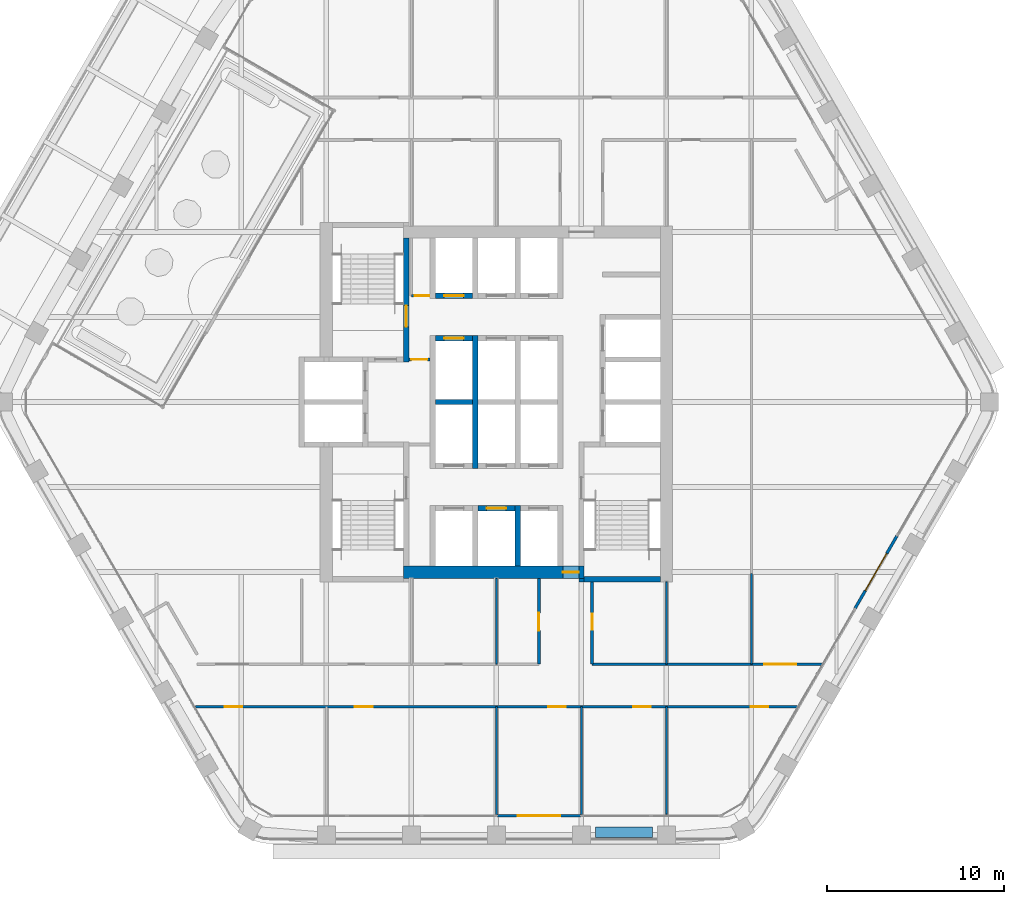
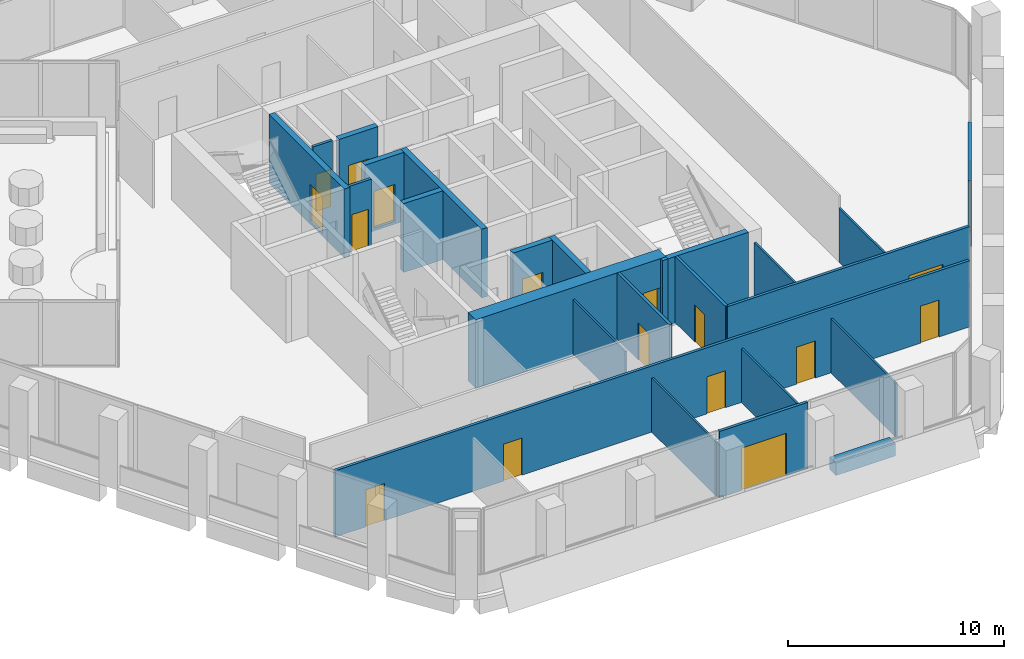
# One storey, part 12 of 18: 25 walls, 17 doors, 17 openings.
"""IFC4 building model written with IfcOpenShell, lengths in metres."""

from ifc_helpers import new_model, si_unit, direction, frame, frame_2d, origin, place, context, subcontext, project, spatial, rectangle, extrude, material, layer, layer_set, type_object, element, fill, save


model = new_model("IFC4")

# Units and contexts
model_context = context("Model", 3, precision=1e-05, world=origin(), true_north=direction((0.0, 1.0)))
body_context = subcontext(model_context, "Body", "Model", "MODEL_VIEW")
ifc_project = project(units=[si_unit("LENGTHUNIT", "METRE"), si_unit("AREAUNIT", "SQUARE_METRE"), si_unit("VOLUMEUNIT", "CUBIC_METRE"), si_unit("PLANEANGLEUNIT", "RADIAN"), si_unit("MASSUNIT", "GRAM", prefix="KILO")], contexts=[model_context])

# Site, building, storey
site_placement = place(None, origin())
site = spatial("IfcSite", under=ifc_project, at=site_placement, CompositionType="ELEMENT")
building_placement = place(site_placement, origin())
building = spatial("IfcBuilding", under=site, at=building_placement, Name="Kolab Exchange Tower", CompositionType="ELEMENT")
storey_placement = place(building_placement, frame((0.0, 0.0, 150.5)))
storey = spatial("IfcBuildingStorey", under=building, at=storey_placement, Name="L30", CompositionType="ELEMENT", Elevation=150.5)

# Wall, opening, door
ifc_material_1 = material(Name="Concrete C60/75", Category="concrete")
ifc_layer_1 = layer(ifc_material_1, 0.699951171875)
ifc_layer_set_1 = layer_set([ifc_layer_1], Name="Concrete C60/75")
wall_type_1 = type_object("IfcWallType", Name="CORE WALL 700 C60/75", PredefinedType="SHEAR", material=ifc_layer_set_1)
wall_1_placement = place(storey_placement, frame((-5.25, -9.60009765625, -0.14990234375), z_axis=(0.0, 0.0, 1.0), x_axis=(1.0, 0.0, 0.0)))
wall_1 = element("IfcWall", 1, at=wall_1_placement, inside=storey, type_object=wall_type_1, Name="wall/L30/core/002", PredefinedType="SHEAR", context=body_context, shape_type="SweptSolid", body=[
    extrude(rectangle(XDim=10.199951171875, YDim=0.699951171875, at=frame_2d((5.10009765625, 0.0))), origin(), (0.0, 0.0, 1.0), 3.89990234375),
])
opening_1_placement = place(wall_1_placement, frame((9.0, 0.0, 0.14990234375)))
opening_1 = element("IfcOpeningElement", 2, at=opening_1_placement, cuts=wall_1, Name="Opening D6-287", PredefinedType="OPENING", context=body_context, shape_type="SweptSolid", body=[
    extrude(rectangle(XDim=0.89990234375, YDim=2.10009765625, at=frame_2d((0.449951171875, 1.050048828125))), frame((0.0, 0.35986328125, 0.0), z_axis=(0.0, -1.0, 0.0), x_axis=(1.0, 0.0, 0.0)), (0.0, 0.0, 1.0), 0.719970703125),
])
ifc_material_2 = material(Name="Steel S235", Category="steel")
door_type_1 = type_object("IfcDoorType", Name="CORE DOOR 900 EI 120", OperationType="SINGLE_SWING_LEFT", PredefinedType="DOOR", material=ifc_material_2)
door_1_placement = place(opening_1_placement, origin())
door_1 = element("IfcDoor", 3, at=door_1_placement, inside=storey, type_object=door_type_1, Name="Core lobby door", OperationType="SINGLE_SWING_LEFT", OverallHeight=2.10009765625, OverallWidth=0.89990234375, PredefinedType="DOOR", context=body_context, shape_type="SweptSolid", body=[
    extrude(rectangle(XDim=0.89990234375, YDim=2.10009765625, at=frame_2d((0.449951171875, 1.050048828125))), frame((0.0, 0.02490234375, 0.0), z_axis=(0.0, -1.0, 0.0), x_axis=(1.0, 0.0, 0.0)), (0.0, 0.0, 1.0), 0.050048828125),
])
fill(opening_1, door_1)

ifc_material_3 = material(Name="Aluminium EN AW-6063 T6", Category="aluminium")
ifc_layer_2 = layer(ifc_material_3, 0.159912109375)
ifc_layer_set_2 = layer_set([ifc_layer_2], Name="Aluminium EN AW-6063 T6")
wall_type_2 = type_object("IfcWallType", Name="DOOR SURROUND WALL 160 ALUMINIUM FRAMED", PredefinedType="PARTITIONING", material=ifc_layer_set_2)
wall_2_placement = place(storey_placement, frame((22.61669921875, -7.5498046875, 0.0), z_axis=(0.0, 0.0, 1.0), x_axis=(-0.5000167099, -0.866015756104, 0.0)))
wall_2 = element("IfcWall", 4, at=wall_2_placement, inside=storey, type_object=wall_type_2, Name="Door surround wall", PredefinedType="PARTITIONING", context=body_context, shape_type="SweptSolid", body=[
    extrude(rectangle(XDim=4.739990234375, YDim=0.159912109375, at=frame_2d((2.3701171875, 0.0))), origin(), (0.0, 0.0, 1.0), 3.75),
])
opening_2_placement = place(wall_2_placement, frame((1.169921875, 0.0, 0.0)))
opening_2 = element("IfcOpeningElement", 5, at=opening_2_placement, cuts=wall_2, Name="Opening GD1-066", PredefinedType="OPENING", context=body_context, shape_type="SweptSolid", body=[
    extrude(rectangle(XDim=2.39990234375, YDim=2.39990234375, at=frame_2d((1.199951171875, 1.199951171875))), frame((0.0, 0.08984375, 0.0), z_axis=(0.0, -1.0, 0.0), x_axis=(1.0, 0.0, 0.0)), (0.0, 0.0, 1.0), 0.179931640625),
])
door_type_2 = type_object("IfcDoorType", Name="LOGGIA SLIDING GLASS DOOR 2400 X 2400", OperationType="DOUBLE_DOOR_SINGLE_SWING", PredefinedType="DOOR", material=ifc_material_3)
door_2_placement = place(opening_2_placement, origin())
door_2 = element("IfcDoor", 6, at=door_2_placement, inside=storey, type_object=door_type_2, Name="Loggia door", OperationType="DOUBLE_DOOR_SLIDING", OverallHeight=2.39990234375, OverallWidth=2.39990234375, PredefinedType="DOOR", context=body_context, shape_type="SweptSolid", body=[
    extrude(rectangle(XDim=2.39990234375, YDim=2.39990234375, at=frame_2d((1.199951171875, 1.199951171875))), frame((0.0, 0.02490234375, 0.0), z_axis=(0.0, -1.0, 0.0), x_axis=(1.0, 0.0, 0.0)), (0.0, 0.0, 1.0), 0.050048828125),
])
fill(opening_2, door_2)

wall_3_placement = place(storey_placement, frame((4.77001953125, -23.361572265625, 0.0), z_axis=(0.0, 0.0, 1.0), x_axis=(-1.0, 0.0, 0.0)))
wall_3 = element("IfcWall", 7, at=wall_3_placement, inside=storey, type_object=wall_type_2, Name="Door surround wall", PredefinedType="PARTITIONING", context=body_context, shape_type="SweptSolid", body=[
    extrude(rectangle(XDim=4.739990234375, YDim=0.159912109375, at=frame_2d((2.3701171875, 0.0))), origin(), (0.0, 0.0, 1.0), 3.75),
])
opening_3_placement = place(wall_3_placement, frame((1.169921875, 0.0, 0.0)))
opening_3 = element("IfcOpeningElement", 8, at=opening_3_placement, cuts=wall_3, Name="Opening GD1-067", PredefinedType="OPENING", context=body_context, shape_type="SweptSolid", body=[
    extrude(rectangle(XDim=2.39990234375, YDim=2.39990234375, at=frame_2d((1.199951171875, 1.199951171875))), frame((0.0, 0.08984375, 0.0), z_axis=(0.0, -1.0, 0.0), x_axis=(1.0, 0.0, 0.0)), (0.0, 0.0, 1.0), 0.179931640625),
])
door_3_placement = place(opening_3_placement, origin())
door_3 = element("IfcDoor", 9, at=door_3_placement, inside=storey, type_object=door_type_2, Name="Loggia door", OperationType="DOUBLE_DOOR_SLIDING", OverallHeight=2.39990234375, OverallWidth=2.39990234375, PredefinedType="DOOR", context=body_context, shape_type="SweptSolid", body=[
    extrude(rectangle(XDim=2.39990234375, YDim=2.39990234375, at=frame_2d((1.199951171875, 1.199951171875))), frame((0.0, 0.02490234375, 0.0), z_axis=(0.0, -1.0, 0.0), x_axis=(1.0, 0.0, 0.0)), (0.0, 0.0, 1.0), 0.050048828125),
])
fill(opening_3, door_3)

ifc_material_4 = material(Name="Concrete C50/60", Category="concrete")
ifc_layer_3 = layer(ifc_material_4, 0.300048828125)
ifc_layer_set_3 = layer_set([ifc_layer_3], Name="Concrete C50/60")
wall_type_3 = type_object("IfcWallType", Name="LIFT SHAFT WALL 300 C50/60", PredefinedType="STANDARD", material=ifc_layer_set_3)
wall_4_placement = place(storey_placement, frame((-1.050048828125, -6.0, -0.14990234375), z_axis=(0.0, 0.0, 1.0), x_axis=(1.0, 0.0, 0.0)))
wall_4 = element("IfcWall", 10, at=wall_4_placement, inside=storey, type_object=wall_type_3, Name="wall/L30/core/004", PredefinedType="STANDARD", context=body_context, shape_type="SweptSolid", body=[
    extrude(rectangle(XDim=2.10009765625, YDim=0.300048828125, at=frame_2d((1.050048828125, 0.0))), origin(), (0.0, 0.0, 1.0), 3.89990234375),
])
opening_4_placement = place(wall_4_placement, frame((0.5, 0.0, 0.14990234375)))
opening_4 = element("IfcOpeningElement", 11, at=opening_4_placement, cuts=wall_4, Name="Opening LD1-111", PredefinedType="OPENING", context=body_context, shape_type="SweptSolid", body=[
    extrude(rectangle(XDim=1.10009765625, YDim=2.10009765625, at=frame_2d((0.550048828125, 1.050048828125))), frame((0.0, 0.16015625, 0.0), z_axis=(0.0, -1.0, 0.0), x_axis=(1.0, 0.0, 0.0)), (0.0, 0.0, 1.0), 0.320068359375),
])
ifc_material_5 = material(Name="Stainless steel 316", Category="steel")
door_type_3 = type_object("IfcDoorType", Name="LANDING DOOR 1100 PASSENGER", OperationType="DOUBLE_DOOR_SLIDING", PredefinedType="DOOR", material=ifc_material_5)
door_4_placement = place(opening_4_placement, origin())
door_4 = element("IfcDoor", 12, at=door_4_placement, inside=storey, type_object=door_type_3, Name="Landing door HR11", OperationType="DOUBLE_DOOR_SLIDING", OverallHeight=2.10009765625, OverallWidth=1.10009765625, PredefinedType="DOOR", context=body_context, shape_type="SweptSolid", body=[
    extrude(rectangle(XDim=1.10009765625, YDim=2.10009765625, at=frame_2d((0.550048828125, 1.050048828125))), frame((0.0, 0.02490234375, 0.0), z_axis=(0.0, -1.0, 0.0), x_axis=(1.0, 0.0, 0.0)), (0.0, 0.0, 1.0), 0.050048828125),
])
fill(opening_4, door_4)

# Wall
wall_5_placement = place(storey_placement, frame((-3.449951171875, 0.0, -0.14990234375), z_axis=(0.0, 0.0, 1.0), x_axis=(1.0, 0.0, 0.0)))
element("IfcWall", 13, at=wall_5_placement, inside=storey, type_object=wall_type_3, Name="wall/L30/core/015", PredefinedType="STANDARD", context=body_context, shape_type="SweptSolid", body=[
    extrude(rectangle(XDim=2.099853515625, YDim=0.300048828125, at=frame_2d((1.0498046875, 0.0))), origin(), (0.0, 0.0, 1.0), 3.89990234375),
])

# Wall, opening, door
wall_6_placement = place(storey_placement, frame((-3.449951171875, 3.60009765625, -0.14990234375), z_axis=(0.0, 0.0, 1.0), x_axis=(1.0, 0.0, 0.0)))
wall_6 = element("IfcWall", 14, at=wall_6_placement, inside=storey, type_object=wall_type_3, Name="wall/L30/core/023", PredefinedType="STANDARD", context=body_context, shape_type="SweptSolid", body=[
    extrude(rectangle(XDim=2.099853515625, YDim=0.300048828125, at=frame_2d((1.0498046875, 0.0))), origin(), (0.0, 0.0, 1.0), 3.89990234375),
])
opening_5_placement = place(wall_6_placement, frame((0.5, 0.0, 0.14990234375)))
opening_5 = element("IfcOpeningElement", 15, at=opening_5_placement, cuts=wall_6, Name="Opening LD1-115", PredefinedType="OPENING", context=body_context, shape_type="SweptSolid", body=[
    extrude(rectangle(XDim=1.10009765625, YDim=2.10009765625, at=frame_2d((0.550048828125, 1.050048828125))), frame((0.0, 0.16015625, 0.0), z_axis=(0.0, -1.0, 0.0), x_axis=(1.0, 0.0, 0.0)), (0.0, 0.0, 1.0), 0.320068359375),
])
door_5_placement = place(opening_5_placement, origin())
door_5 = element("IfcDoor", 16, at=door_5_placement, inside=storey, type_object=door_type_3, Name="Landing door HR4", OperationType="DOUBLE_DOOR_SLIDING", OverallHeight=2.10009765625, OverallWidth=1.10009765625, PredefinedType="DOOR", context=body_context, shape_type="SweptSolid", body=[
    extrude(rectangle(XDim=1.10009765625, YDim=2.10009765625, at=frame_2d((0.550048828125, 1.050048828125))), frame((0.0, 0.02490234375, 0.0), z_axis=(0.0, -1.0, 0.0), x_axis=(1.0, 0.0, 0.0)), (0.0, 0.0, 1.0), 0.050048828125),
])
fill(opening_5, door_5)

wall_7_placement = place(storey_placement, frame((-3.449951171875, 6.0, -0.14990234375), z_axis=(0.0, 0.0, 1.0), x_axis=(1.0, 0.0, 0.0)))
wall_7 = element("IfcWall", 17, at=wall_7_placement, inside=storey, type_object=wall_type_3, Name="wall/L30/core/027", PredefinedType="STANDARD", context=body_context, shape_type="SweptSolid", body=[
    extrude(rectangle(XDim=2.099853515625, YDim=0.300048828125, at=frame_2d((1.0498046875, 0.0))), origin(), (0.0, 0.0, 1.0), 3.89990234375),
])
opening_6_placement = place(wall_7_placement, frame((0.5, 0.0, 0.14990234375)))
opening_6 = element("IfcOpeningElement", 18, at=opening_6_placement, cuts=wall_7, Name="Opening LD1-109", PredefinedType="OPENING", context=body_context, shape_type="SweptSolid", body=[
    extrude(rectangle(XDim=1.10009765625, YDim=2.10009765625, at=frame_2d((0.550048828125, 1.050048828125))), frame((0.0, 0.16015625, 0.0), z_axis=(0.0, -1.0, 0.0), x_axis=(1.0, 0.0, 0.0)), (0.0, 0.0, 1.0), 0.320068359375),
])
door_6_placement = place(opening_6_placement, origin())
door_6 = element("IfcDoor", 19, at=door_6_placement, inside=storey, type_object=door_type_3, Name="Landing door HR1", OperationType="DOUBLE_DOOR_SLIDING", OverallHeight=2.10009765625, OverallWidth=1.10009765625, PredefinedType="DOOR", context=body_context, shape_type="SweptSolid", body=[
    extrude(rectangle(XDim=1.10009765625, YDim=2.10009765625, at=frame_2d((0.550048828125, 1.050048828125))), frame((0.0, 0.02490234375, 0.0), z_axis=(0.0, -1.0, 0.0), x_axis=(1.0, 0.0, 0.0)), (0.0, 0.0, 1.0), 0.050048828125),
])
fill(opening_6, door_6)

# Walls
wall_8_placement = place(storey_placement, frame((-1.199951171875, -3.75, -0.14990234375), z_axis=(0.0, 0.0, 1.0), x_axis=(0.0, 1.0, 0.0)))
element("IfcWall", 20, at=wall_8_placement, inside=storey, type_object=wall_type_3, Name="wall/L30/core/047", PredefinedType="STANDARD", context=body_context, shape_type="SweptSolid", body=[
    extrude(rectangle(XDim=7.5, YDim=0.300048828125, at=frame_2d((3.75, 0.0))), origin(), (0.0, 0.0, 1.0), 3.89990234375),
])
wall_9_placement = place(storey_placement, frame((1.199951171875, -9.25, -0.14990234375), z_axis=(0.0, 0.0, 1.0), x_axis=(0.0, 1.0, 0.0)))
element("IfcWall", 21, at=wall_9_placement, inside=storey, type_object=wall_type_3, Name="wall/L30/core/049", PredefinedType="STANDARD", context=body_context, shape_type="SweptSolid", body=[
    extrude(rectangle(XDim=3.39990234375, YDim=0.300048828125, at=frame_2d((1.699951171875, 0.0))), origin(), (0.0, 0.0, 1.0), 3.89990234375),
])
ifc_material_6 = material(Name="Gypsum board", Category="gypsum")
ifc_layer_4 = layer(ifc_material_6, 0.10009765625)
ifc_layer_set_4 = layer_set([ifc_layer_4], Name="Gypsum board")
wall_type_4 = type_object("IfcWallType", Name="PARTITION 100", PredefinedType="PARTITIONING", material=ifc_layer_set_4)
wall_10_placement = place(storey_placement, frame((14.39990234375, -14.800048828125, 0.0), z_axis=(0.0, 0.0, 1.0), x_axis=(0.0, 1.0, 0.0)))
element("IfcWall", 22, at=wall_10_placement, inside=storey, type_object=wall_type_4, Name="Partition 000", PredefinedType="PARTITIONING", context=body_context, shape_type="SweptSolid", body=[
    extrude(rectangle(XDim=5.1064453125, YDim=0.10009765625, at=frame_2d((2.55322265625, 0.0))), origin(), (0.0, 0.0, 1.0), 3.06591796875),
])
wall_11_placement = place(storey_placement, frame((9.60009765625, -23.271484375, 0.0), z_axis=(0.0, 0.0, 1.0), x_axis=(0.0, 1.0, 0.0)))
element("IfcWall", 23, at=wall_11_placement, inside=storey, type_object=wall_type_4, Name="Partition 001", PredefinedType="PARTITIONING", context=body_context, shape_type="SweptSolid", body=[
    extrude(rectangle(XDim=6.071533203125, YDim=0.10009765625, at=frame_2d((3.03564453125, 0.0))), origin(), (0.0, 0.0, 1.0), 3.06591796875),
])
wall_12_placement = place(storey_placement, frame((9.60009765625, -14.800048828125, 0.0), z_axis=(0.0, 0.0, 1.0), x_axis=(0.0, 1.0, 0.0)))
element("IfcWall", 24, at=wall_12_placement, inside=storey, type_object=wall_type_4, Name="Partition 002", PredefinedType="PARTITIONING", context=body_context, shape_type="SweptSolid", body=[
    extrude(rectangle(XDim=4.650146484375, YDim=0.10009765625, at=frame_2d((2.3251953125, 0.0))), origin(), (0.0, 0.0, 1.0), 3.06591796875),
])
for number, where, z_axis, x_axis, name in (
    (25, (4.800048828125, -23.281494140625, 0.0), (0.0, 0.0, 1.0), (0.0, 1.0, 0.0), "Partition 007"),
    (26, (0.0, -23.281494140625, 0.0), (0.0, 0.0, 1.0), (0.0, 1.0, 0.0), "Partition 010"),
):
    element("IfcWall", number, at=place(storey_placement, frame(where, z_axis=z_axis, x_axis=x_axis)), inside=storey, type_object=wall_type_4, Name=name, PredefinedType="PARTITIONING", context=body_context, shape_type="SweptSolid", body=[
        extrude(rectangle(XDim=6.08154296875, YDim=0.10009765625, at=frame_2d((3.040771484375, 0.0))), origin(), (0.0, 0.0, 1.0), 3.06591796875),
    ])
wall_13_placement = place(storey_placement, frame((0.0, -14.800048828125, 0.0), z_axis=(0.0, 0.0, 1.0), x_axis=(0.0, 1.0, 0.0)))
element("IfcWall", 27, at=wall_13_placement, inside=storey, type_object=wall_type_4, Name="Partition 011", PredefinedType="PARTITIONING", context=body_context, shape_type="SweptSolid", body=[
    extrude(rectangle(XDim=4.85009765625, YDim=0.10009765625, at=frame_2d((2.425048828125, 0.0))), origin(), (0.0, 0.0, 1.0), 3.06591796875),
])

# Wall, opening, door
ifc_layer_5 = layer(ifc_material_6, 0.14990234375)
ifc_layer_set_5 = layer_set([ifc_layer_5], Name="Gypsum board")
wall_type_5 = type_object("IfcWallType", Name="PARTITION 150 FIRE-RATED", PredefinedType="PARTITIONING", material=ifc_layer_set_5)
wall_14_placement = place(storey_placement, frame((5.39990234375, -14.800048828125, 0.0), z_axis=(0.0, 0.0, 1.0), x_axis=(0.0, 1.0, 0.0)))
wall_14 = element("IfcWall", 28, at=wall_14_placement, inside=storey, type_object=wall_type_5, Name="Partition 006", PredefinedType="PARTITIONING", context=body_context, shape_type="SweptSolid", body=[
    extrude(rectangle(XDim=4.650146484375, YDim=0.14990234375, at=frame_2d((2.3251953125, 0.0))), origin(), (0.0, 0.0, 1.0), 3.75),
])
opening_7_placement = place(wall_14_placement, frame((1.949951171875, 0.0, 0.0)))
opening_7 = element("IfcOpeningElement", 29, at=opening_7_placement, cuts=wall_14, Name="Opening D3-042", PredefinedType="OPENING", context=body_context, shape_type="SweptSolid", body=[
    extrude(rectangle(XDim=0.89990234375, YDim=2.10009765625, at=frame_2d((0.449951171875, 1.050048828125))), frame((0.0, 0.0849609375, 0.0), z_axis=(0.0, -1.0, 0.0), x_axis=(1.0, 0.0, 0.0)), (0.0, 0.0, 1.0), 0.169921875),
])
door_type_4 = type_object("IfcDoorType", Name="FLUSH DOOR 900 FD60", OperationType="SINGLE_SWING_LEFT", PredefinedType="DOOR", material=ifc_material_2)
door_7_placement = place(opening_7_placement, frame((0.89990234375, 0.0, 0.0), z_axis=(0.0, 0.0, 1.0), x_axis=(-1.0, 0.0, 0.0)))
door_7 = element("IfcDoor", 30, at=door_7_placement, inside=storey, type_object=door_type_4, Name="Door L30-034", OperationType="SINGLE_SWING_LEFT", OverallHeight=2.10009765625, OverallWidth=0.89990234375, PredefinedType="DOOR", context=body_context, shape_type="SweptSolid", body=[
    extrude(rectangle(XDim=0.89990234375, YDim=2.10009765625, at=frame_2d((0.449951171875, 1.050048828125))), frame((0.0, 0.02490234375, 0.0), z_axis=(0.0, -1.0, 0.0), x_axis=(1.0, 0.0, 0.0)), (0.0, 0.0, 1.0), 0.050048828125),
])
fill(opening_7, door_7)

wall_15_placement = place(storey_placement, frame((2.39990234375, -14.800048828125, 0.0), z_axis=(0.0, 0.0, 1.0), x_axis=(0.0, 1.0, 0.0)))
wall_15 = element("IfcWall", 31, at=wall_15_placement, inside=storey, type_object=wall_type_5, Name="Partition 009", PredefinedType="PARTITIONING", context=body_context, shape_type="SweptSolid", body=[
    extrude(rectangle(XDim=4.85009765625, YDim=0.14990234375, at=frame_2d((2.425048828125, 0.0))), origin(), (0.0, 0.0, 1.0), 3.75),
])
opening_8_placement = place(wall_15_placement, frame((1.89990234375, 0.0, 0.0)))
opening_8 = element("IfcOpeningElement", 32, at=opening_8_placement, cuts=wall_15, Name="Opening D1-436", PredefinedType="OPENING", context=body_context, shape_type="SweptSolid", body=[
    extrude(rectangle(XDim=1.0, YDim=2.10009765625, at=frame_2d((0.5, 1.050048828125))), frame((0.0, 0.0849609375, 0.0), z_axis=(0.0, -1.0, 0.0), x_axis=(1.0, 0.0, 0.0)), (0.0, 0.0, 1.0), 0.169921875),
])
door_type_5 = type_object("IfcDoorType", Name="FLUSH DOOR 1000 FD60", OperationType="SINGLE_SWING_LEFT", PredefinedType="DOOR", material=ifc_material_2)
door_8_placement = place(opening_8_placement, origin())
door_8 = element("IfcDoor", 33, at=door_8_placement, inside=storey, type_object=door_type_5, Name="Door L30-037", OperationType="SINGLE_SWING_LEFT", OverallHeight=2.10009765625, OverallWidth=1.0, PredefinedType="DOOR", context=body_context, shape_type="SweptSolid", body=[
    extrude(rectangle(XDim=1.0, YDim=2.10009765625, at=frame_2d((0.5, 1.050048828125))), frame((0.0, 0.02490234375, 0.0), z_axis=(0.0, -1.0, 0.0), x_axis=(1.0, 0.0, 0.0)), (0.0, 0.0, 1.0), 0.050048828125),
])
fill(opening_8, door_8)

# Wall, openings, doors
wall_16_placement = place(storey_placement, frame((-16.9990234375, -17.199951171875, 0.0), z_axis=(0.0, 0.0, 1.0), x_axis=(1.0, 0.0, 0.0)))
wall_16 = element("IfcWall", 34, at=wall_16_placement, inside=storey, type_object=wall_type_5, Name="Partition 025", PredefinedType="PARTITIONING", context=body_context, shape_type="SweptSolid", body=[
    extrude(rectangle(XDim=33.998046875, YDim=0.14990234375, at=frame_2d((16.9990234375, 0.0))), origin(), (0.0, 0.0, 1.0), 3.75),
])
opening_9_placement = place(wall_16_placement, frame((1.64599609375, 0.0, 0.0)))
opening_9 = element("IfcOpeningElement", 35, at=opening_9_placement, cuts=wall_16, Name="Opening D1-441", PredefinedType="OPENING", context=body_context, shape_type="SweptSolid", body=[
    extrude(rectangle(XDim=1.0, YDim=2.10009765625, at=frame_2d((0.5, 1.050048828125))), frame((0.0, 0.0849609375, 0.0), z_axis=(0.0, -1.0, 0.0), x_axis=(1.0, 0.0, 0.0)), (0.0, 0.0, 1.0), 0.169921875),
])
opening_10_placement = place(wall_16_placement, frame((9.00390625, 0.0, 0.0)))
opening_10 = element("IfcOpeningElement", 36, at=opening_10_placement, cuts=wall_16, Name="Opening D1-442", PredefinedType="OPENING", context=body_context, shape_type="SweptSolid", body=[
    extrude(rectangle(XDim=1.0, YDim=2.10009765625, at=frame_2d((0.5, 1.050048828125))), frame((0.0, 0.0849609375, 0.0), z_axis=(0.0, -1.0, 0.0), x_axis=(1.0, 0.0, 0.0)), (0.0, 0.0, 1.0), 0.169921875),
])
opening_11_placement = place(wall_16_placement, frame((19.9140625, 0.0, 0.0)))
opening_11 = element("IfcOpeningElement", 37, at=opening_11_placement, cuts=wall_16, Name="Opening D1-443", PredefinedType="OPENING", context=body_context, shape_type="SweptSolid", body=[
    extrude(rectangle(XDim=1.0, YDim=2.10009765625, at=frame_2d((0.5, 1.050048828125))), frame((0.0, 0.0849609375, 0.0), z_axis=(0.0, -1.0, 0.0), x_axis=(1.0, 0.0, 0.0)), (0.0, 0.0, 1.0), 0.169921875),
])
opening_12_placement = place(wall_16_placement, frame((24.714111328125, 0.0, 0.0)))
opening_12 = element("IfcOpeningElement", 38, at=opening_12_placement, cuts=wall_16, Name="Opening D1-444", PredefinedType="OPENING", context=body_context, shape_type="SweptSolid", body=[
    extrude(rectangle(XDim=1.0, YDim=2.10009765625, at=frame_2d((0.5, 1.050048828125))), frame((0.0, 0.0849609375, 0.0), z_axis=(0.0, -1.0, 0.0), x_axis=(1.0, 0.0, 0.0)), (0.0, 0.0, 1.0), 0.169921875),
])
opening_13_placement = place(wall_16_placement, frame((31.35205078125, 0.0, 0.0)))
opening_13 = element("IfcOpeningElement", 39, at=opening_13_placement, cuts=wall_16, Name="Opening D1-445", PredefinedType="OPENING", context=body_context, shape_type="SweptSolid", body=[
    extrude(rectangle(XDim=1.0, YDim=2.10009765625, at=frame_2d((0.5, 1.050048828125))), frame((0.0, 0.0849609375, 0.0), z_axis=(0.0, -1.0, 0.0), x_axis=(1.0, 0.0, 0.0)), (0.0, 0.0, 1.0), 0.169921875),
])
door_9_placement = place(opening_9_placement, frame((1.0, 0.0, 0.0), z_axis=(0.0, 0.0, 1.0), x_axis=(-1.0, 0.0, 0.0)))
door_9 = element("IfcDoor", 40, at=door_9_placement, inside=storey, type_object=door_type_5, Name="Door L30-042", OperationType="SINGLE_SWING_LEFT", OverallHeight=2.10009765625, OverallWidth=1.0, PredefinedType="DOOR", context=body_context, shape_type="SweptSolid", body=[
    extrude(rectangle(XDim=1.0, YDim=2.10009765625, at=frame_2d((0.5, 1.050048828125))), frame((0.0, 0.02490234375, 0.0), z_axis=(0.0, -1.0, 0.0), x_axis=(1.0, 0.0, 0.0)), (0.0, 0.0, 1.0), 0.050048828125),
])
fill(opening_9, door_9)
door_10_placement = place(opening_10_placement, frame((1.0, 0.0, 0.0), z_axis=(0.0, 0.0, 1.0), x_axis=(-1.0, 0.0, 0.0)))
door_10 = element("IfcDoor", 41, at=door_10_placement, inside=storey, type_object=door_type_5, Name="Door L30-043", OperationType="SINGLE_SWING_LEFT", OverallHeight=2.10009765625, OverallWidth=1.0, PredefinedType="DOOR", context=body_context, shape_type="SweptSolid", body=[
    extrude(rectangle(XDim=1.0, YDim=2.10009765625, at=frame_2d((0.5, 1.050048828125))), frame((0.0, 0.02490234375, 0.0), z_axis=(0.0, -1.0, 0.0), x_axis=(1.0, 0.0, 0.0)), (0.0, 0.0, 1.0), 0.050048828125),
])
fill(opening_10, door_10)
door_11_placement = place(opening_11_placement, frame((1.0, 0.0, 0.0), z_axis=(0.0, 0.0, 1.0), x_axis=(-1.0, 0.0, 0.0)))
door_11 = element("IfcDoor", 42, at=door_11_placement, inside=storey, type_object=door_type_5, Name="Door L30-044", OperationType="SINGLE_SWING_RIGHT", OverallHeight=2.10009765625, OverallWidth=1.0, PredefinedType="DOOR", context=body_context, shape_type="SweptSolid", body=[
    extrude(rectangle(XDim=1.0, YDim=2.10009765625, at=frame_2d((0.5, 1.050048828125))), frame((0.0, 0.02490234375, 0.0), z_axis=(0.0, -1.0, 0.0), x_axis=(1.0, 0.0, 0.0)), (0.0, 0.0, 1.0), 0.050048828125),
])
fill(opening_11, door_11)
door_12_placement = place(opening_12_placement, frame((1.0, 0.0, 0.0), z_axis=(0.0, 0.0, 1.0), x_axis=(-1.0, 0.0, 0.0)))
door_12 = element("IfcDoor", 43, at=door_12_placement, inside=storey, type_object=door_type_5, Name="Door L30-045", OperationType="SINGLE_SWING_RIGHT", OverallHeight=2.10009765625, OverallWidth=1.0, PredefinedType="DOOR", context=body_context, shape_type="SweptSolid", body=[
    extrude(rectangle(XDim=1.0, YDim=2.10009765625, at=frame_2d((0.5, 1.050048828125))), frame((0.0, 0.02490234375, 0.0), z_axis=(0.0, -1.0, 0.0), x_axis=(1.0, 0.0, 0.0)), (0.0, 0.0, 1.0), 0.050048828125),
])
fill(opening_12, door_12)
door_13_placement = place(opening_13_placement, frame((1.0, 0.0, 0.0), z_axis=(0.0, 0.0, 1.0), x_axis=(-1.0, 0.0, 0.0)))
door_13 = element("IfcDoor", 44, at=door_13_placement, inside=storey, type_object=door_type_5, Name="Door L30-046", OperationType="SINGLE_SWING_RIGHT", OverallHeight=2.10009765625, OverallWidth=1.0, PredefinedType="DOOR", context=body_context, shape_type="SweptSolid", body=[
    extrude(rectangle(XDim=1.0, YDim=2.10009765625, at=frame_2d((0.5, 1.050048828125))), frame((0.0, 0.02490234375, 0.0), z_axis=(0.0, -1.0, 0.0), x_axis=(1.0, 0.0, 0.0)), (0.0, 0.0, 1.0), 0.050048828125),
])
fill(opening_13, door_13)

# Wall, opening, door
wall_17_placement = place(storey_placement, frame((5.39990234375, -14.800048828125, 0.0), z_axis=(0.0, 0.0, 1.0), x_axis=(1.0, 0.0, 0.0)))
wall_17 = element("IfcWall", 45, at=wall_17_placement, inside=storey, type_object=wall_type_5, Name="Partition 027", PredefinedType="PARTITIONING", context=body_context, shape_type="SweptSolid", body=[
    extrude(rectangle(XDim=12.984619140625, YDim=0.14990234375, at=frame_2d((6.4921875, 0.0))), origin(), (0.0, 0.0, 1.0), 3.75),
])
opening_14_placement = place(wall_17_placement, frame((9.730712890625, 0.0, 0.0)))
opening_14 = element("IfcOpeningElement", 46, at=opening_14_placement, cuts=wall_17, Name="Opening D2-043", PredefinedType="OPENING", context=body_context, shape_type="SweptSolid", body=[
    extrude(rectangle(XDim=1.800048828125, YDim=2.10009765625, at=frame_2d((0.89990234375, 1.050048828125))), frame((0.0, 0.0849609375, 0.0), z_axis=(0.0, -1.0, 0.0), x_axis=(1.0, 0.0, 0.0)), (0.0, 0.0, 1.0), 0.169921875),
])
door_type_6 = type_object("IfcDoorType", Name="DOUBLE DOOR 1800 FD60", OperationType="DOUBLE_DOOR_SINGLE_SWING", PredefinedType="DOOR", material=ifc_material_2)
door_14_placement = place(opening_14_placement, origin())
door_14 = element("IfcDoor", 47, at=door_14_placement, inside=storey, type_object=door_type_6, Name="Door L30-048", OperationType="SINGLE_SWING_LEFT", OverallHeight=2.10009765625, OverallWidth=1.800048828125, PredefinedType="DOOR", context=body_context, shape_type="SweptSolid", body=[
    extrude(rectangle(XDim=1.800048828125, YDim=2.10009765625, at=frame_2d((0.89990234375, 1.050048828125))), frame((0.0, 0.02490234375, 0.0), z_axis=(0.0, -1.0, 0.0), x_axis=(1.0, 0.0, 0.0)), (0.0, 0.0, 1.0), 0.050048828125),
])
fill(opening_14, door_14)

wall_18_placement = place(storey_placement, frame((-4.800048828125, 6.0, 0.0), z_axis=(0.0, 0.0, 1.0), x_axis=(1.0, 0.0, 0.0)))
wall_18 = element("IfcWall", 48, at=wall_18_placement, inside=storey, type_object=wall_type_5, Name="Partition 028", PredefinedType="PARTITIONING", context=body_context, shape_type="SweptSolid", body=[
    extrude(rectangle(XDim=1.050048828125, YDim=0.14990234375, at=frame_2d((0.52490234375, 0.0))), origin(), (0.0, 0.0, 1.0), 3.75),
])
opening_15_placement = place(wall_18_placement, frame((0.199951171875, 0.0, 0.0)))
opening_15 = element("IfcOpeningElement", 49, at=opening_15_placement, cuts=wall_18, Name="Opening D7-032", PredefinedType="OPENING", context=body_context, shape_type="SweptSolid", body=[
    extrude(rectangle(XDim=0.800048828125, YDim=2.10009765625, at=frame_2d((0.39990234375, 1.050048828125))), frame((0.0, 0.0849609375, 0.0), z_axis=(0.0, -1.0, 0.0), x_axis=(1.0, 0.0, 0.0)), (0.0, 0.0, 1.0), 0.169921875),
])
door_type_7 = type_object("IfcDoorType", Name="FLUSH DOOR 800 FD60", OperationType="SINGLE_SWING_LEFT", PredefinedType="DOOR", material=ifc_material_2)
door_15_placement = place(opening_15_placement, origin())
door_15 = element("IfcDoor", 50, at=door_15_placement, inside=storey, type_object=door_type_7, Name="Door L30-023", OperationType="SINGLE_SWING_RIGHT", OverallHeight=2.10009765625, OverallWidth=0.800048828125, PredefinedType="DOOR", context=body_context, shape_type="SweptSolid", body=[
    extrude(rectangle(XDim=0.800048828125, YDim=2.10009765625, at=frame_2d((0.39990234375, 1.050048828125))), frame((0.0, 0.02490234375, 0.0), z_axis=(0.0, -1.0, 0.0), x_axis=(1.0, 0.0, 0.0)), (0.0, 0.0, 1.0), 0.050048828125),
])
fill(opening_15, door_15)

wall_19_placement = place(storey_placement, frame((-4.949951171875, 2.39990234375, 0.0), z_axis=(0.0, 0.0, 1.0), x_axis=(1.0, 0.0, 0.0)))
wall_19 = element("IfcWall", 51, at=wall_19_placement, inside=storey, type_object=wall_type_5, Name="Fire partition", PredefinedType="PARTITIONING", context=body_context, shape_type="SweptSolid", body=[
    extrude(rectangle(XDim=1.199951171875, YDim=0.14990234375, at=frame_2d((0.60009765625, 0.0))), origin(), (0.0, 0.0, 1.0), 3.75),
])
opening_16_placement = place(wall_19_placement, frame((0.14990234375, 0.0, 0.0)))
opening_16 = element("IfcOpeningElement", 52, at=opening_16_placement, cuts=wall_19, Name="Opening D6-288", PredefinedType="OPENING", context=body_context, shape_type="SweptSolid", body=[
    extrude(rectangle(XDim=0.89990234375, YDim=2.10009765625, at=frame_2d((0.449951171875, 1.050048828125))), frame((0.0, 0.0849609375, 0.0), z_axis=(0.0, -1.0, 0.0), x_axis=(1.0, 0.0, 0.0)), (0.0, 0.0, 1.0), 0.169921875),
])
door_16_placement = place(opening_16_placement, frame((0.89990234375, 0.0, 0.0), z_axis=(0.0, 0.0, 1.0), x_axis=(-1.0, 0.0, 0.0)))
door_16 = element("IfcDoor", 53, at=door_16_placement, inside=storey, type_object=door_type_1, Name="Firefighting lobby door", OperationType="SINGLE_SWING_RIGHT", OverallHeight=2.10009765625, OverallWidth=0.89990234375, PredefinedType="DOOR", context=body_context, shape_type="SweptSolid", body=[
    extrude(rectangle(XDim=0.89990234375, YDim=2.10009765625, at=frame_2d((0.449951171875, 1.050048828125))), frame((0.0, 0.02490234375, 0.0), z_axis=(0.0, -1.0, 0.0), x_axis=(1.0, 0.0, 0.0)), (0.0, 0.0, 1.0), 0.050048828125),
])
fill(opening_16, door_16)

# Walls
ifc_material_7 = material(Name="Granite facing", Category="masonry")
ifc_layer_6 = layer(ifc_material_7, 0.0400390625)
ifc_material_8 = material(Name="Concrete C40/50 precast", Category="concrete")
ifc_layer_7 = layer(ifc_material_8, 0.56005859375)
ifc_layer_set_6 = layer_set([ifc_layer_6, ifc_layer_7], Name="Concrete C40/50 precast")
wall_type_6 = type_object("IfcWallType", Name="PLANTER BOX 600 X 700 SOIL DEPTH 550", PredefinedType="USERDEFINED", material=ifc_layer_set_6)
wall_20_placement = place(storey_placement, frame((8.800048828125, -24.29150390625, 0.0), z_axis=(0.0, 0.0, 1.0), x_axis=(-1.0, 0.0, 0.0)))
element("IfcWall", 54, at=wall_20_placement, inside=storey, type_object=wall_type_6, Name="Planter", ObjectType="PLANTER", PredefinedType="USERDEFINED", context=body_context, shape_type="SweptSolid", body=[
    extrude(rectangle(XDim=3.199951171875, YDim=0.60009765625, at=frame_2d((1.60009765625, 0.0))), origin(), (0.0, 0.0, 1.0), 0.699951171875),
])
ifc_layer_8 = layer(ifc_material_4, 0.300048828125)
ifc_layer_set_7 = layer_set([ifc_layer_8], Name="Concrete C50/60")
wall_type_7 = type_object("IfcWallType", Name="STAIR ENCLOSURE WALL 300 C50/60", PredefinedType="STANDARD", material=ifc_layer_set_7)
wall_21_placement = place(storey_placement, frame((4.949951171875, -10.0, -0.14990234375), z_axis=(0.0, 0.0, 1.0), x_axis=(1.0, 0.0, 0.0)))
element("IfcWall", 55, at=wall_21_placement, inside=storey, type_object=wall_type_7, Name="wall/L30/core/001", PredefinedType="STANDARD", context=body_context, shape_type="SweptSolid", body=[
    extrude(rectangle(XDim=4.300048828125, YDim=0.300048828125, at=frame_2d((2.14990234375, 0.0))), origin(), (0.0, 0.0, 1.0), 3.89990234375),
])

# Wall, opening, door
wall_22_placement = place(storey_placement, frame((-5.10009765625, 2.25, -0.14990234375), z_axis=(0.0, 0.0, 1.0), x_axis=(0.0, 1.0, 0.0)))
wall_22 = element("IfcWall", 56, at=wall_22_placement, inside=storey, type_object=wall_type_7, Name="wall/L30/core/041", PredefinedType="STANDARD", context=body_context, shape_type="SweptSolid", body=[
    extrude(rectangle(XDim=7.0, YDim=0.300048828125, at=frame_2d((3.5, 0.0))), origin(), (0.0, 0.0, 1.0), 3.89990234375),
])
opening_17_placement = place(wall_22_placement, frame((2.0, 0.0, 0.14990234375)))
opening_17 = element("IfcOpeningElement", 57, at=opening_17_placement, cuts=wall_22, Name="Opening D4-066", PredefinedType="OPENING", context=body_context, shape_type="SweptSolid", body=[
    extrude(rectangle(XDim=1.199951171875, YDim=2.10009765625, at=frame_2d((0.60009765625, 1.050048828125))), frame((0.0, 0.16015625, 0.0), z_axis=(0.0, -1.0, 0.0), x_axis=(1.0, 0.0, 0.0)), (0.0, 0.0, 1.0), 0.320068359375),
])
door_type_8 = type_object("IfcDoorType", Name="STAIR DOOR 1200 EI 120", OperationType="SINGLE_SWING_LEFT", PredefinedType="DOOR", material=ifc_material_2)
door_17_placement = place(opening_17_placement, origin())
door_17 = element("IfcDoor", 58, at=door_17_placement, inside=storey, type_object=door_type_8, Name="Stair 1 door", OperationType="SINGLE_SWING_LEFT", OverallHeight=2.10009765625, OverallWidth=1.199951171875, PredefinedType="DOOR", context=body_context, shape_type="SweptSolid", body=[
    extrude(rectangle(XDim=1.199951171875, YDim=2.10009765625, at=frame_2d((0.60009765625, 1.050048828125))), frame((0.0, 0.02490234375, 0.0), z_axis=(0.0, -1.0, 0.0), x_axis=(1.0, 0.0, 0.0)), (0.0, 0.0, 1.0), 0.050048828125),
])
fill(opening_17, door_17)

# Wall
wall_23_placement = place(storey_placement, frame((4.800048828125, -10.14990234375, -0.14990234375), z_axis=(0.0, 0.0, 1.0), x_axis=(0.0, 1.0, 0.0)))
element("IfcWall", 59, at=wall_23_placement, inside=storey, type_object=wall_type_7, Name="wall/L30/core/055", PredefinedType="STANDARD", context=body_context, shape_type="SweptSolid", body=[
    extrude(rectangle(XDim=0.199951171875, YDim=0.300048828125, at=frame_2d((0.10009765625, 0.0))), origin(), (0.0, 0.0, 1.0), 3.89990234375),
])

save(model, "model.ifc")
